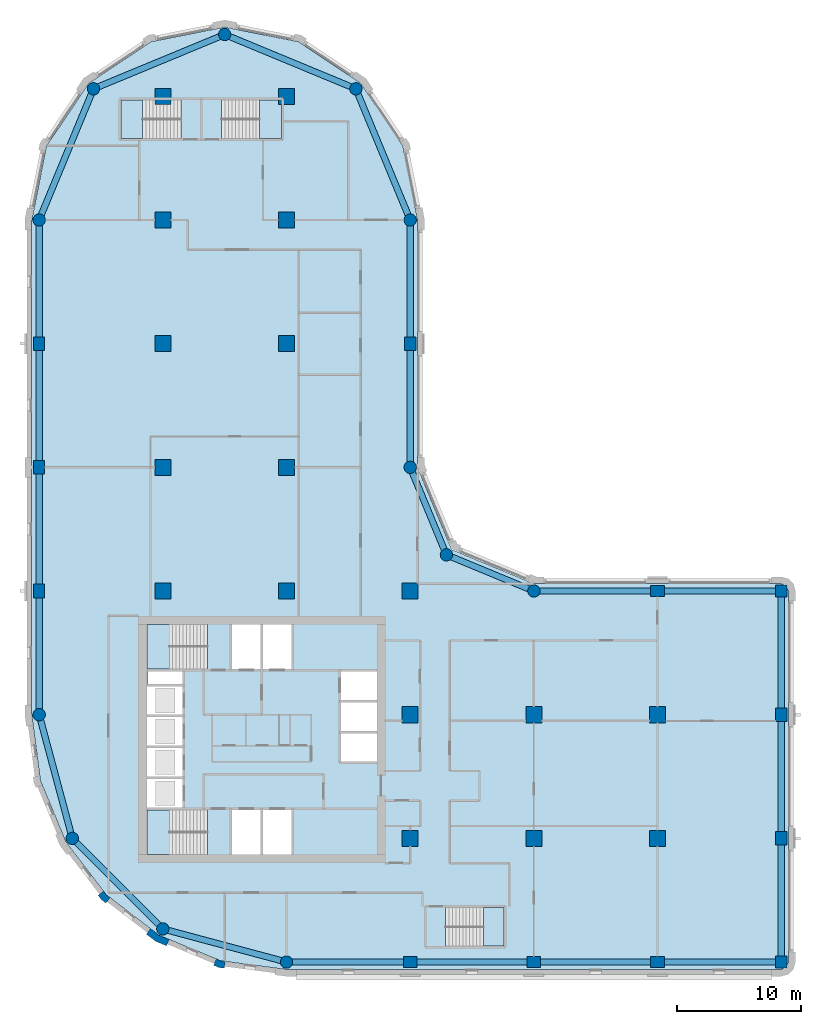
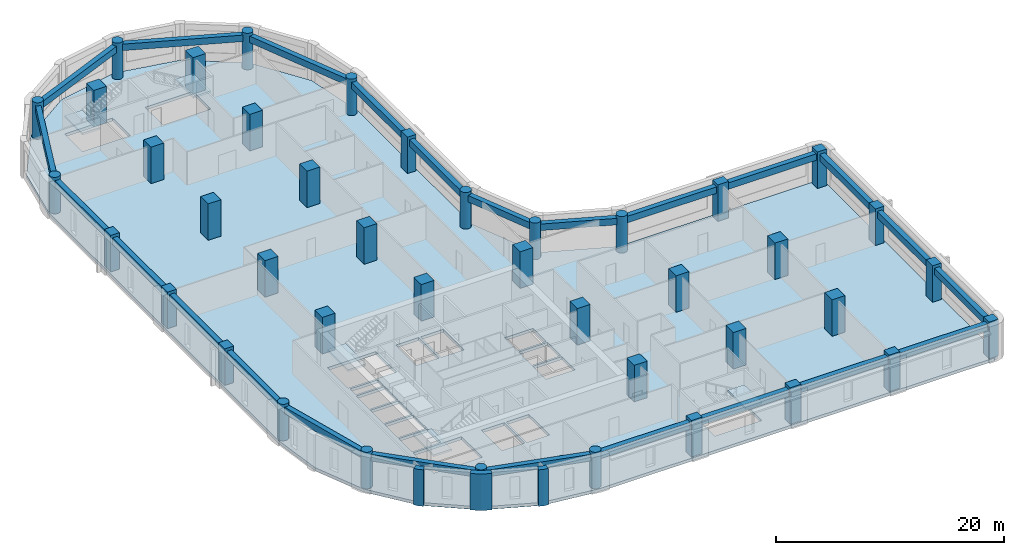
# One storey, part 1 of 9: 41 columns, 24 beams, 6 slabs, 3 walls, 5 elements without a shape of their own.
"""IFC4 building model written with IfcOpenShell, lengths in metres."""

from ifc_helpers import new_model, si_unit, direction, frame, origin, origin_2d, place, context, subcontext, project, spatial, polyline, rectangle, circle, outline, extrude, material, layer, layer_set, material_profile, profile_set, type_object, element, aggregate, save


model = new_model("IFC4")

# Units and contexts
model_context = context("Model", 3, precision=1e-05, world=origin(), true_north=direction((0.0, 1.0)))
body_context = subcontext(model_context, "Body", "Model", "MODEL_VIEW")
ifc_project = project(units=[si_unit("LENGTHUNIT", "METRE"), si_unit("AREAUNIT", "SQUARE_METRE"), si_unit("VOLUMEUNIT", "CUBIC_METRE"), si_unit("PLANEANGLEUNIT", "RADIAN"), si_unit("MASSUNIT", "GRAM", prefix="KILO")], contexts=[model_context])

# Site, building, storey
site_placement = place(None, origin())
site = spatial("IfcSite", under=ifc_project, at=site_placement, CompositionType="ELEMENT")
building_placement = place(site_placement, origin())
building = spatial("IfcBuilding", under=site, at=building_placement, Name="Qaws Garden Tower", CompositionType="ELEMENT")
storey_placement = place(building_placement, frame((0.0, 0.0, 162.89990234375)))
storey = spatial("IfcBuildingStorey", under=building, at=storey_placement, Name="L39", CompositionType="ELEMENT", Elevation=162.89990234375)

# Columns
ifc_material_1 = material(Name="Concrete C70", Category="concrete")
ifc_material_profile_1 = material_profile(ifc_material_1, rectangle(XDim=1.10009765625, YDim=0.89990234375, at=origin_2d()), Name="RC 1100x900")
ifc_profile_set_1 = profile_set([ifc_material_profile_1], Name="Concrete C70")
column_type_1 = type_object("IfcColumnType", Name="Column RC 1100x900 C70", PredefinedType="COLUMN", material=ifc_profile_set_1)
for number, where, z_axis, x_axis, name in (
    (1, (30.0, 0.0, 0.0), (0.0, 0.0, 1.0), (1.0, 0.0, 0.0), "Column L39-002"),
    (2, (40.0, 0.0, 0.0), (0.0, 0.0, 1.0), (1.0, 0.0, 0.0), "Column L39-003"),
    (3, (50.0, 0.0, 0.0), (0.0, 0.0, 1.0), (1.0, 0.0, 0.0), "Column L39-004"),
    (4, (60.0, 10.0, 0.0), (0.0, 0.0, 1.0), (0.0, 1.0, 0.0), "Column L39-006"),
    (5, (60.0, 20.0, 0.0), (0.0, 0.0, 1.0), (0.0, 1.0, 0.0), "Column L39-007"),
    (6, (50.0, 30.0, 0.0), (0.0, 0.0, 1.0), (1.0, 0.0, 0.0), "Column L39-009"),
    (7, (30.0, 50.0, 0.0), (0.0, 0.0, 1.0), (0.0, 1.0, 0.0), "Column L39-013"),
    (8, (0.0, 50.0, 0.0), (0.0, 0.0, 1.0), (0.0, 1.0, 0.0), "Column L39-019"),
    (9, (0.0, 40.0, 0.0), (0.0, 0.0, 1.0), (0.0, 1.0, 0.0), "Column L39-020"),
    (10, (0.0, 30.0, 0.0), (0.0, 0.0, 1.0), (0.0, 1.0, 0.0), "Column L39-021"),
):
    element("IfcColumn", number, at=place(storey_placement, frame(where, z_axis=z_axis, x_axis=x_axis)), inside=storey, type_object=column_type_1, Name=name, PredefinedType="COLUMN", context=body_context, shape_type="SweptSolid", body=[
        extrude(rectangle(XDim=1.10009765625, YDim=0.89990234375, at=origin_2d()), origin(), (0.0, 0.0, 1.0), 3.900146484375),
    ])
ifc_material_2 = material(Name="Concrete C70", Category="concrete")
ifc_material_profile_2 = material_profile(ifc_material_2, rectangle(XDim=1.300048828125, YDim=1.300048828125, at=origin_2d()), Name="RC 1300x1300")
ifc_profile_set_2 = profile_set([ifc_material_profile_2], Name="Concrete C70")
column_type_2 = type_object("IfcColumnType", Name="Column RC 1300x1300 C70", PredefinedType="COLUMN", material=ifc_profile_set_2)
for number, where, z_axis, x_axis, name in (
    (11, (10.0, 30.0, 0.0), (0.0, 0.0, 1.0), (1.0, 0.0, 0.0), "Column L39-025"),
    (12, (10.0, 40.0, 0.0), (0.0, 0.0, 1.0), (1.0, 0.0, 0.0), "Column L39-026"),
    (13, (10.0, 50.0, 0.0), (0.0, 0.0, 1.0), (1.0, 0.0, 0.0), "Column L39-027"),
    (14, (10.0, 60.0, 0.0), (0.0, 0.0, 1.0), (1.0, 0.0, 0.0), "Column L39-028"),
    (15, (10.0, 70.0, 0.0), (0.0, 0.0, 1.0), (1.0, 0.0, 0.0), "Column L39-029"),
    (16, (20.0, 30.0, 0.0), (0.0, 0.0, 1.0), (1.0, 0.0, 0.0), "Column L39-030"),
    (17, (20.0, 40.0, 0.0), (0.0, 0.0, 1.0), (1.0, 0.0, 0.0), "Column L39-031"),
    (18, (20.0, 50.0, 0.0), (0.0, 0.0, 1.0), (1.0, 0.0, 0.0), "Column L39-032"),
    (19, (20.0, 60.0, 0.0), (0.0, 0.0, 1.0), (1.0, 0.0, 0.0), "Column L39-033"),
    (20, (20.0, 70.0, 0.0), (0.0, 0.0, 1.0), (1.0, 0.0, 0.0), "Column L39-034"),
    (21, (30.0, 10.0, 0.0), (0.0, 0.0, 1.0), (1.0, 0.0, 0.0), "Column L39-035"),
    (22, (30.0, 20.0, 0.0), (0.0, 0.0, 1.0), (1.0, 0.0, 0.0), "Column L39-036"),
    (23, (30.0, 30.0, 0.0), (0.0, 0.0, 1.0), (1.0, 0.0, 0.0), "Column L39-037"),
    (24, (40.0, 10.0, 0.0), (0.0, 0.0, 1.0), (1.0, 0.0, 0.0), "Column L39-038"),
    (25, (40.0, 20.0, 0.0), (0.0, 0.0, 1.0), (1.0, 0.0, 0.0), "Column L39-039"),
    (26, (50.0, 10.0, 0.0), (0.0, 0.0, 1.0), (1.0, 0.0, 0.0), "Column L39-040"),
    (27, (50.0, 20.0, 0.0), (0.0, 0.0, 1.0), (1.0, 0.0, 0.0), "Column L39-041"),
):
    element("IfcColumn", number, at=place(storey_placement, frame(where, z_axis=z_axis, x_axis=x_axis)), inside=storey, type_object=column_type_2, Name=name, PredefinedType="COLUMN", context=body_context, shape_type="SweptSolid", body=[
        extrude(rectangle(XDim=1.300048828125, YDim=1.300048828125, at=origin_2d()), origin(), (0.0, 0.0, 1.0), 3.900146484375),
    ])
ifc_material_3 = material(Name="Concrete C70", Category="concrete")
ifc_material_profile_3 = material_profile(ifc_material_3, rectangle(XDim=0.949951171875, YDim=0.949951171875, at=origin_2d()), Name="RC 950x950")
ifc_profile_set_3 = profile_set([ifc_material_profile_3], Name="Concrete C70")
column_type_3 = type_object("IfcColumnType", Name="Column RC 950x950 C70", PredefinedType="COLUMN", material=ifc_profile_set_3)
for number, where, z_axis, x_axis, name in (
    (28, (60.0, 0.0, 0.0), (0.0, 0.0, 1.0), (1.0, 0.0, 0.0), "Column L39-005"),
    (29, (60.0, 30.0, 0.0), (0.0, 0.0, 1.0), (1.0, 0.0, 0.0), "Column L39-008"),
):
    element("IfcColumn", number, at=place(storey_placement, frame(where, z_axis=z_axis, x_axis=x_axis)), inside=storey, type_object=column_type_3, Name=name, PredefinedType="COLUMN", context=body_context, shape_type="SweptSolid", body=[
        extrude(rectangle(XDim=0.949951171875, YDim=0.949951171875, at=origin_2d()), origin(), (0.0, 0.0, 1.0), 3.900146484375),
    ])
ifc_material_4 = material(Name="Concrete C70", Category="concrete")
ifc_material_profile_4 = material_profile(ifc_material_4, circle(Radius=0.5, at=origin_2d()), Name="RC D1000")
ifc_profile_set_4 = profile_set([ifc_material_profile_4], Name="Concrete C70")
column_type_4 = type_object("IfcColumnType", Name="Column RC D1000 C70", PredefinedType="COLUMN", material=ifc_profile_set_4)
for number, where, z_axis, x_axis, name in (
    (30, (20.0, 0.0, 0.0), (0.0, 0.0, 1.0), (1.0, 0.0, 0.0), "Column L39-001"),
    (31, (40.0, 30.0, 0.0), (0.0, 0.0, 1.0), (1.0, 0.0, 0.0), "Column L39-010"),
    (32, (32.928955078125, 32.928955078125, 0.0), (0.0, 0.0, 1.0), (1.0, 0.0, 0.0), "Column L39-011"),
    (33, (30.0, 40.0, 0.0), (0.0, 0.0, 1.0), (1.0, 0.0, 0.0), "Column L39-012"),
    (34, (30.0, 60.0, 0.0), (0.0, 0.0, 1.0), (1.0, 0.0, 0.0), "Column L39-014"),
    (35, (25.606689453125, 70.606689453125, 0.0), (0.0, 0.0, 1.0), (1.0, 0.0, 0.0), "Column L39-015"),
    (36, (15.0, 75.0, 0.0), (0.0, 0.0, 1.0), (1.0, 0.0, 0.0), "Column L39-016"),
    (37, (4.393310546875, 70.606689453125, 0.0), (0.0, 0.0, 1.0), (1.0, 0.0, 0.0), "Column L39-017"),
    (38, (0.0, 60.0, 0.0), (0.0, 0.0, 1.0), (1.0, 0.0, 0.0), "Column L39-018"),
    (39, (0.0, 20.0, 0.0), (0.0, 0.0, 1.0), (1.0, 0.0, 0.0), "Column L39-022"),
    (40, (2.679443359375, 10.0, 0.0), (0.0, 0.0, 1.0), (1.0, 0.0, 0.0), "Column L39-023"),
    (41, (10.0, 2.679443359375, 0.0), (0.0, 0.0, 1.0), (1.0, 0.0, 0.0), "Column L39-024"),
):
    element("IfcColumn", number, at=place(storey_placement, frame(where, z_axis=z_axis, x_axis=x_axis)), inside=storey, type_object=column_type_4, Name=name, PredefinedType="COLUMN", context=body_context, shape_type="SweptSolid", body=[
        extrude(circle(Radius=0.5, at=origin_2d()), origin(), (0.0, 0.0, 1.0), 3.900146484375),
    ])

# Beams
ifc_material_5 = material(Name="Concrete C45", Category="concrete")
ifc_material_profile_5 = material_profile(ifc_material_5, rectangle(XDim=0.5, YDim=0.699951171875, at=origin_2d()), Name="RC 500x700")
ifc_profile_set_5 = profile_set([ifc_material_profile_5], Name="Concrete C45")
beam_type = type_object("IfcBeamType", Name="Spandrel beam RC 500x700 C45", PredefinedType="SPANDREL", material=ifc_profile_set_5)
for number, where, z_axis, x_axis, name in (
    (42, (20.0, 0.0, 3.22998046875), (1.0, 0.0, 0.0), (0.0, 1.0, 0.0), "Spandrel beam L39-001"),
    (43, (30.0, 0.0, 3.22998046875), (1.0, 0.0, 0.0), (0.0, 1.0, 0.0), "Spandrel beam L39-002"),
    (44, (40.0, 0.0, 3.22998046875), (1.0, 0.0, 0.0), (0.0, 1.0, 0.0), "Spandrel beam L39-003"),
    (45, (50.0, 0.0, 3.22998046875), (1.0, 0.0, 0.0), (0.0, 1.0, 0.0), "Spandrel beam L39-004"),
    (46, (60.0, 0.0, 3.22998046875), (0.0, 1.0, 0.0), (-1.0, 0.0, 0.0), "Spandrel beam L39-005"),
    (47, (60.0, 10.0, 3.22998046875), (0.0, 1.0, 0.0), (-1.0, 0.0, 0.0), "Spandrel beam L39-006"),
    (48, (60.0, 20.0, 3.22998046875), (0.0, 1.0, 0.0), (-1.0, 0.0, 0.0), "Spandrel beam L39-007"),
    (49, (60.0, 30.0, 3.22998046875), (-1.0, 0.0, 0.0), (0.0, -1.0, 0.0), "Spandrel beam L39-008"),
    (50, (50.0, 30.0, 3.22998046875), (-1.0, 0.0, 0.0), (0.0, -1.0, 0.0), "Spandrel beam L39-009"),
):
    element("IfcBeam", number, at=place(storey_placement, frame(where, z_axis=z_axis, x_axis=x_axis)), inside=storey, type_object=beam_type, Name=name, PredefinedType="SPANDREL", context=body_context, shape_type="SweptSolid", body=[
        extrude(rectangle(XDim=0.5, YDim=0.699951171875, at=origin_2d()), origin(), (0.0, 0.0, 1.0), 10.0),
    ])
for number, where, z_axis, x_axis, name in (
    (51, (40.0, 30.0, 3.22998046875), (-0.923878037141, 0.382687042488, 0.0), (-0.382687042488, -0.923878037141, 0.0), "Spandrel beam L39-010"),
    (52, (32.928955078125, 32.928955078125, 3.22998046875), (-0.382687042488, 0.923878037141, 0.0), (-0.923878037141, -0.382687042488, 0.0), "Spandrel beam L39-011"),
):
    element("IfcBeam", number, at=place(storey_placement, frame(where, z_axis=z_axis, x_axis=x_axis)), inside=storey, type_object=beam_type, Name=name, PredefinedType="SPANDREL", context=body_context, shape_type="SweptSolid", body=[
        extrude(rectangle(XDim=0.5, YDim=0.699951171875, at=origin_2d()), origin(), (0.0, 0.0, 1.0), 7.653564453125),
    ])
for number, where, z_axis, x_axis, name in (
    (53, (30.0, 40.0, 3.22998046875), (0.0, 1.0, 0.0), (-1.0, 0.0, 0.0), "Spandrel beam L39-012"),
    (54, (30.0, 50.0, 3.22998046875), (0.0, 1.0, 0.0), (-1.0, 0.0, 0.0), "Spandrel beam L39-013"),
):
    element("IfcBeam", number, at=place(storey_placement, frame(where, z_axis=z_axis, x_axis=x_axis)), inside=storey, type_object=beam_type, Name=name, PredefinedType="SPANDREL", context=body_context, shape_type="SweptSolid", body=[
        extrude(rectangle(XDim=0.5, YDim=0.699951171875, at=origin_2d()), origin(), (0.0, 0.0, 1.0), 10.0),
    ])
for number, where, z_axis, x_axis, name in (
    (55, (30.0, 60.0, 3.22998046875), (-0.382674207535, 0.923883353507, 0.0), (-0.923883353507, -0.382674207535, 0.0), "Spandrel beam L39-014"),
    (56, (25.606689453125, 70.606689453125, 3.22998046875), (-0.923883353507, 0.382674207535, 0.0), (-0.382674207535, -0.923883353507, 0.0), "Spandrel beam L39-015"),
    (57, (15.0, 75.0, 3.22998046875), (-0.923883353507, -0.382674207535, 0.0), (0.382674207535, -0.923883353507, 0.0), "Spandrel beam L39-016"),
    (58, (4.393310546875, 70.606689453125, 3.22998046875), (-0.382674207535, -0.923883353507, 0.0), (0.923883353507, -0.382674207535, 0.0), "Spandrel beam L39-017"),
):
    element("IfcBeam", number, at=place(storey_placement, frame(where, z_axis=z_axis, x_axis=x_axis)), inside=storey, type_object=beam_type, Name=name, PredefinedType="SPANDREL", context=body_context, shape_type="SweptSolid", body=[
        extrude(rectangle(XDim=0.5, YDim=0.699951171875, at=origin_2d()), origin(), (0.0, 0.0, 1.0), 11.48046875),
    ])
for number, where, z_axis, x_axis, name in (
    (59, (0.0, 60.0, 3.22998046875), (0.0, -1.0, 0.0), (1.0, 0.0, 0.0), "Spandrel beam L39-018"),
    (60, (0.0, 50.0, 3.22998046875), (0.0, -1.0, 0.0), (1.0, 0.0, 0.0), "Spandrel beam L39-019"),
    (61, (0.0, 40.0, 3.22998046875), (0.0, -1.0, 0.0), (1.0, 0.0, 0.0), "Spandrel beam L39-020"),
    (62, (0.0, 30.0, 3.22998046875), (0.0, -1.0, 0.0), (1.0, 0.0, 0.0), "Spandrel beam L39-021"),
):
    element("IfcBeam", number, at=place(storey_placement, frame(where, z_axis=z_axis, x_axis=x_axis)), inside=storey, type_object=beam_type, Name=name, PredefinedType="SPANDREL", context=body_context, shape_type="SweptSolid", body=[
        extrude(rectangle(XDim=0.5, YDim=0.699951171875, at=origin_2d()), origin(), (0.0, 0.0, 1.0), 10.0),
    ])
for number, where, z_axis, x_axis, name in (
    (63, (0.0, 20.0, 3.22998046875), (0.25881466832, -0.965926999034, 0.0), (0.965926999034, 0.25881466832, 0.0), "Spandrel beam L39-022"),
    (64, (2.679443359375, 10.0, 3.22998046875), (0.707106781187, -0.707106781187, 0.0), (0.707106781187, 0.707106781187, 0.0), "Spandrel beam L39-023"),
    (65, (10.0, 2.679443359375, 3.22998046875), (0.965926999034, -0.25881466832, 0.0), (0.25881466832, 0.965926999034, 0.0), "Spandrel beam L39-024"),
):
    element("IfcBeam", number, at=place(storey_placement, frame(where, z_axis=z_axis, x_axis=x_axis)), inside=storey, type_object=beam_type, Name=name, PredefinedType="SPANDREL", context=body_context, shape_type="SweptSolid", body=[
        extrude(rectangle(XDim=0.5, YDim=0.699951171875, at=origin_2d()), origin(), (0.0, 0.0, 1.0), 10.352783203125),
    ])

# Slab
ifc_material_6 = material(Name="Concrete C40", Category="concrete")
ifc_layer_1 = layer(ifc_material_6, 0.320068359375)
ifc_layer_set_1 = layer_set([ifc_layer_1], Name="Concrete C40")
slab_type_1 = type_object("IfcSlabType", Name="Floor slab 320 C40", PredefinedType="FLOOR", material=ifc_layer_set_1)
slab_1_placement = place(storey_placement, frame((0.0, 0.0, -0.31982421875)))
element("IfcSlab", 66, at=slab_1_placement, inside=storey, type_object=slab_type_1, Name="Floor slab L39", PredefinedType="FLOOR", context=body_context, shape_type="SweptSolid", body=[
    extrude(outline(polyline([(0.101806640625, 14.668212890625), (-0.60009765625, 20.0), (-0.60009765625, 30.60009765625), (-0.60009765625, 60.0), (-0.60009765625, 60.0), (0.58740234375, 65.969970703125), (3.968994140625, 71.031005859375), (9.030029296875, 74.41259765625), (15.0, 75.60009765625), (20.969970703125, 74.41259765625), (26.031005859375, 71.031005859375), (29.41259765625, 65.969970703125), (30.60009765625, 60.0), (30.60009765625, 40.0), (33.353271484375, 33.353271484375), (40.0, 30.60009765625), (60.0, 30.60009765625), (60.42431640625, 30.42431640625), (60.60009765625, 30.0), (60.60009765625, 0.0), (60.42431640625, -0.42431640625), (60.0, -0.60009765625), (30.60009765625, -0.60009765625), (20.0, -0.60009765625), (14.668212890625, 0.101806640625), (9.699951171875, 2.159912109375), (5.43359375, 5.43359375), (2.159912109375, 9.699951171875), (0.101806640625, 14.668212890625)]), holes=[polyline([(13.599609375, 12.300048828125), (8.699951171875, 12.300048828125), (8.699951171875, 8.699951171875), (13.599609375, 8.699951171875), (13.599609375, 12.300048828125)]), polyline([(17.89990234375, 12.300048828125), (15.60009765625, 12.300048828125), (15.60009765625, 8.699951171875), (17.89990234375, 8.699951171875), (17.89990234375, 12.300048828125)]), polyline([(11.60009765625, 14.800048828125), (8.699951171875, 14.800048828125), (8.699951171875, 12.5), (11.60009765625, 12.5), (11.60009765625, 14.800048828125)]), polyline([(11.60009765625, 17.300048828125), (8.699951171875, 17.300048828125), (8.699951171875, 15.0), (11.60009765625, 15.0), (11.60009765625, 17.300048828125)]), polyline([(11.60009765625, 19.800048828125), (8.699951171875, 19.800048828125), (8.699951171875, 17.5), (11.60009765625, 17.5), (11.60009765625, 19.800048828125)]), polyline([(11.60009765625, 22.300048828125), (8.699951171875, 22.300048828125), (8.699951171875, 20.0), (11.60009765625, 20.0), (11.60009765625, 22.300048828125)]), polyline([(11.60009765625, 23.5), (8.800048828125, 23.5), (8.800048828125, 22.5), (11.60009765625, 22.5), (11.60009765625, 23.5)]), polyline([(13.599609375, 27.300048828125), (8.699951171875, 27.300048828125), (8.699951171875, 23.699951171875), (13.599609375, 23.699951171875), (13.599609375, 27.300048828125)]), polyline([(11.449462890625, 69.699951171875), (6.60009765625, 69.699951171875), (6.60009765625, 66.60009765625), (11.449462890625, 66.60009765625), (11.449462890625, 69.699951171875)]), polyline([(37.60009765625, 4.39990234375), (32.8505859375, 4.39990234375), (32.8505859375, 1.300048828125), (37.60009765625, 1.300048828125), (37.60009765625, 4.39990234375)]), polyline([(20.39990234375, 12.300048828125), (18.10009765625, 12.300048828125), (18.10009765625, 8.699951171875), (20.39990234375, 8.699951171875), (20.39990234375, 12.300048828125)]), polyline([(27.300048828125, 18.5), (24.39990234375, 18.5), (24.39990234375, 16.199951171875), (27.300048828125, 16.199951171875), (27.300048828125, 18.5)]), polyline([(27.300048828125, 21.0), (24.39990234375, 21.0), (24.39990234375, 18.699951171875), (27.300048828125, 18.699951171875), (27.300048828125, 21.0)]), polyline([(27.300048828125, 23.5), (24.39990234375, 23.5), (24.39990234375, 21.199951171875), (27.300048828125, 21.199951171875), (27.300048828125, 23.5)]), polyline([(17.89990234375, 27.300048828125), (15.60009765625, 27.300048828125), (15.60009765625, 23.699951171875), (17.89990234375, 23.699951171875), (17.89990234375, 27.300048828125)]), polyline([(20.39990234375, 23.699951171875), (20.39990234375, 27.300048828125), (18.10009765625, 27.300048828125), (18.10009765625, 23.699951171875), (20.39990234375, 23.699951171875)]), polyline([(19.60009765625, 66.60009765625), (19.60009765625, 69.699951171875), (14.75048828125, 69.699951171875), (14.75048828125, 66.60009765625), (19.60009765625, 66.60009765625)])]), origin(), (0.0, 0.0, 1.0), 0.31982421875),
])

# Stair, slab
ifc_material_7 = material(Name="Concrete C40", Category="concrete")
stair_type_1 = type_object("IfcStairType", Name="Exit stair 1500", PredefinedType="HALF_TURN_STAIR", material=ifc_material_7)
placement_1 = place(storey_placement, origin())
stair_1 = element("IfcStair", 67, at=placement_1, inside=storey, type_object=stair_type_1, Name="Stair 1", PredefinedType="HALF_TURN_STAIR")
ifc_material_8 = material(Name="Concrete C40", Category="concrete")
ifc_layer_2 = layer(ifc_material_8, 0.199951171875)
ifc_layer_set_2 = layer_set([ifc_layer_2], Name="Concrete C40")
slab_type_2 = type_object("IfcSlabType", Name="Stair landing 200", PredefinedType="LANDING", material=ifc_layer_set_2)
placement_2 = place(storey_placement, frame((0.0, 0.0, 1.75)))
slab_2 = element("IfcSlab", 68, at=placement_2, type_object=slab_type_2, Name="ST1 landing 1", PredefinedType="LANDING", context=body_context, shape_type="SweptSolid", body=[
    extrude(outline(polyline([(8.699951171875, 8.699951171875), (10.52001953125, 8.699951171875), (10.52001953125, 12.300048828125), (8.699951171875, 12.300048828125), (8.699951171875, 8.699951171875)])), origin(), (0.0, 0.0, 1.0), 0.2001953125),
])
aggregate(stair_1, [slab_2])

stair_2 = element("IfcStair", 69, at=placement_1, inside=storey, type_object=stair_type_1, Name="Stair 4", PredefinedType="HALF_TURN_STAIR")
slab_3 = element("IfcSlab", 70, at=placement_2, type_object=slab_type_2, Name="ST4 landing 1", PredefinedType="LANDING", context=body_context, shape_type="SweptSolid", body=[
    extrude(outline(polyline([(8.699951171875, 23.699951171875), (10.52001953125, 23.699951171875), (10.52001953125, 27.300048828125), (8.699951171875, 27.300048828125), (8.699951171875, 23.699951171875)])), origin(), (0.0, 0.0, 1.0), 0.2001953125),
])
aggregate(stair_2, [slab_3])

ifc_material_9 = material(Name="Concrete C40", Category="concrete")
stair_type_2 = type_object("IfcStairType", Name="Exit stair 1350", PredefinedType="HALF_TURN_STAIR", material=ifc_material_9)
stair_3 = element("IfcStair", 71, at=placement_1, inside=storey, type_object=stair_type_2, Name="Stair 5", PredefinedType="HALF_TURN_STAIR")
slab_4 = element("IfcSlab", 72, at=placement_2, type_object=slab_type_2, Name="ST5 landing 1", PredefinedType="LANDING", context=body_context, shape_type="SweptSolid", body=[
    extrude(outline(polyline([(35.929931640625, 1.300048828125), (37.60009765625, 1.300048828125), (37.60009765625, 4.39990234375), (35.929931640625, 4.39990234375), (35.929931640625, 1.300048828125)])), origin(), (0.0, 0.0, 1.0), 0.2001953125),
])
aggregate(stair_3, [slab_4])

stair_4 = element("IfcStair", 73, at=placement_1, inside=storey, type_object=stair_type_2, Name="Stair 6", PredefinedType="HALF_TURN_STAIR")
slab_5 = element("IfcSlab", 74, at=placement_2, type_object=slab_type_2, Name="ST6 landing 1", PredefinedType="LANDING", context=body_context, shape_type="SweptSolid", body=[
    extrude(outline(polyline([(6.60009765625, 66.60009765625), (8.3701171875, 66.60009765625), (8.3701171875, 69.699951171875), (6.60009765625, 69.699951171875), (6.60009765625, 66.60009765625)])), origin(), (0.0, 0.0, 1.0), 0.2001953125),
])
aggregate(stair_4, [slab_5])

stair_5 = element("IfcStair", 75, at=placement_1, inside=storey, type_object=stair_type_2, Name="Stair 7", PredefinedType="HALF_TURN_STAIR")
slab_6 = element("IfcSlab", 76, at=placement_2, type_object=slab_type_2, Name="ST7 landing 1", PredefinedType="LANDING", context=body_context, shape_type="SweptSolid", body=[
    extrude(outline(polyline([(17.830078125, 66.60009765625), (19.60009765625, 66.60009765625), (19.60009765625, 69.699951171875), (17.830078125, 69.699951171875), (17.830078125, 66.60009765625)])), origin(), (0.0, 0.0, 1.0), 0.2001953125),
])
aggregate(stair_5, [slab_6])

# Walls
ifc_material_10 = material(Name="Clay facing brick masonry", Category="masonry")
ifc_layer_3 = layer(ifc_material_10, 0.550048828125)
ifc_layer_set_3 = layer_set([ifc_layer_3], Name="Clay facing brick masonry")
wall_type_1 = type_object("IfcWallType", Name="Brick kink pier 550 x 600", PredefinedType="SOLIDWALL", material=ifc_layer_set_3)
element("IfcWall", 77, at=placement_1, inside=storey, type_object=wall_type_1, Name="E-L39-pier-28", PredefinedType="SOLIDWALL", context=body_context, shape_type="SweptSolid", body=[
    extrude(outline(polyline([(4.8818359375, 5.487060546875), (4.762939453125, 5.395751953125), (5.03759765625, 5.03759765625), (5.395751953125, 4.762939453125), (5.487060546875, 4.8818359375), (5.730712890625, 5.19921875), (5.429931640625, 5.429931640625), (5.19921875, 5.730712890625), (4.8818359375, 5.487060546875)])), origin(), (0.0, 0.0, 1.0), 3.900146484375),
])
element("IfcWall", 78, at=placement_1, inside=storey, type_object=wall_type_1, Name="E-L39-pier-30", PredefinedType="SOLIDWALL", context=body_context, shape_type="SweptSolid", body=[
    extrude(outline(polyline([(14.163818359375, -0.127685546875), (14.1064453125, -0.26611328125), (14.5234375, -0.43896484375), (14.970947265625, -0.497802734375), (14.990478515625, -0.34912109375), (15.042724609375, 0.04736328125), (14.6669921875, 0.096923828125), (14.31689453125, 0.241943359375), (14.163818359375, -0.127685546875)])), origin(), (0.0, 0.0, 1.0), 3.900146484375),
])
ifc_material_11 = material(Name="Clay facing brick masonry", Category="masonry")
ifc_layer_4 = layer(ifc_material_11, 0.550048828125)
ifc_layer_set_4 = layer_set([ifc_layer_4], Name="Clay facing brick masonry")
wall_type_2 = type_object("IfcWallType", Name="Brick pier 550 x 1600", PredefinedType="SOLIDWALL", material=ifc_layer_set_4)
element("IfcWall", 79, at=placement_1, inside=storey, type_object=wall_type_2, Name="E-L39-pier-29", PredefinedType="SOLIDWALL", context=body_context, shape_type="SweptSolid", body=[
    extrude(outline(polyline([(8.756591796875, 2.373046875), (8.665283203125, 2.254150390625), (9.419921875, 1.675048828125), (10.299072265625, 1.310791015625), (10.3564453125, 1.449462890625), (10.509521484375, 1.819091796875), (9.697509765625, 2.1552734375), (9.0, 2.6904296875), (8.756591796875, 2.373046875)])), origin(), (0.0, 0.0, 1.0), 3.900146484375),
])

save(model, "model.ifc")
